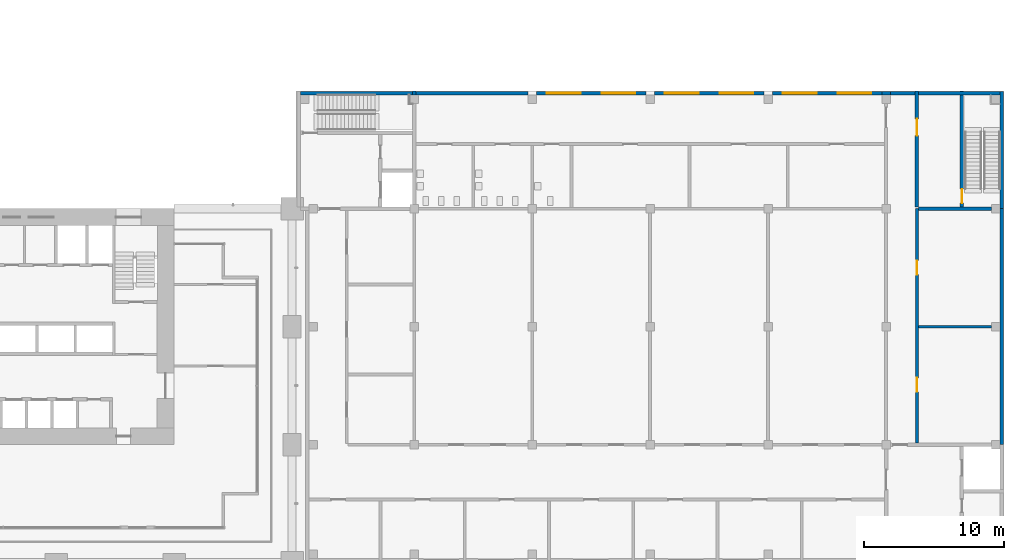
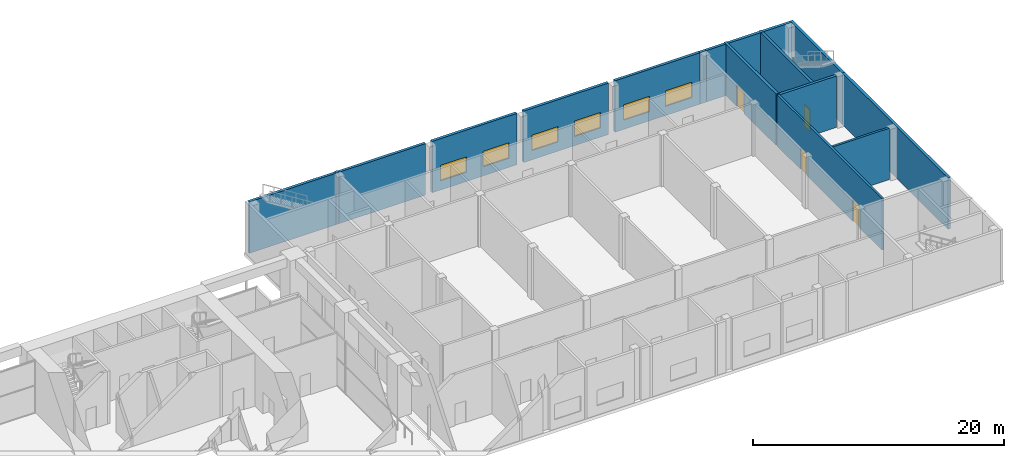
# One storey, part 21 of 32: 16 walls, 6 windows, 4 doors, 10 openings.
"""IFC4 building model written with IfcOpenShell, lengths in metres."""

from ifc_helpers import new_model, si_unit, direction, frame, frame_2d, origin, place, context, subcontext, project, spatial, rectangle, extrude, material, layer, layer_set, type_object, element, fill, save


model = new_model("IFC4")

# Units and contexts
model_context = context("Model", 3, precision=1e-05, world=origin(), true_north=direction((0.0, 1.0)))
body_context = subcontext(model_context, "Body", "Model", "MODEL_VIEW")
ifc_project = project(units=[si_unit("LENGTHUNIT", "METRE"), si_unit("AREAUNIT", "SQUARE_METRE"), si_unit("VOLUMEUNIT", "CUBIC_METRE"), si_unit("PLANEANGLEUNIT", "RADIAN"), si_unit("MASSUNIT", "GRAM", prefix="KILO")], contexts=[model_context])

# Site, building, storey
site_placement = place(None, origin())
site = spatial("IfcSite", under=ifc_project, at=site_placement, CompositionType="ELEMENT")
building_placement = place(site_placement, origin())
building = spatial("IfcBuilding", under=site, at=building_placement, Name="Vermilion Gate Residences", CompositionType="ELEMENT")
storey_placement = place(building_placement, frame((0.0, 0.0, 19.800048828125)))
storey = spatial("IfcBuildingStorey", under=building, at=storey_placement, Name="L03", CompositionType="ELEMENT", Elevation=19.800048828125)

# Wall
ifc_material_1 = material(Name="Insulated masonry", Category="masonry")
ifc_layer_1 = layer(ifc_material_1, 0.25)
ifc_layer_set_1 = layer_set([ifc_layer_1], Name="EXTERNAL WALL 250 MASONRY (MARKET HALL)")
wall_type_1 = type_object("IfcWallType", Name="EXTERNAL WALL 250 MASONRY (MARKET HALL)", PredefinedType="SOLIDWALL", material=ifc_layer_set_1)
wall_1_placement = place(storey_placement, frame((76.02490234375, 33.425048828125, 0.0), z_axis=(0.0, 0.0, 1.0), x_axis=(1.0, 0.0, 0.0)))
element("IfcWall", 1, at=wall_1_placement, inside=storey, type_object=wall_type_1, Name="External wall L03-30", PredefinedType="SOLIDWALL", context=body_context, shape_type="SweptSolid", body=[
    extrude(rectangle(XDim=7.97509765625, YDim=0.25, at=frame_2d((3.987548828125, 0.0))), origin(), (0.0, 0.0, 1.0), 5.0),
])

# Wall, openings, windows
wall_2_placement = place(storey_placement, frame((84.60009765625, 33.425048828125, 0.0), z_axis=(0.0, 0.0, 1.0), x_axis=(1.0, 0.0, 0.0)))
wall_2 = element("IfcWall", 2, at=wall_2_placement, inside=storey, type_object=wall_type_1, Name="External wall L03-31", PredefinedType="SOLIDWALL", context=body_context, shape_type="SweptSolid", body=[
    extrude(rectangle(XDim=7.7998046875, YDim=0.25, at=frame_2d((3.89990234375, 0.0))), origin(), (0.0, 0.0, 1.0), 5.0),
])
opening_1_placement = place(wall_2_placement, frame((0.75, 0.0, 0.89990234375)))
opening_1 = element("IfcOpeningElement", 3, at=opening_1_placement, cuts=wall_2, Name="Opening WH03006", PredefinedType="OPENING", context=body_context, shape_type="SweptSolid", body=[
    extrude(rectangle(XDim=2.39990234375, YDim=1.5, at=frame_2d((1.199951171875, 0.75))), frame((0.0, 0.135009765625, 0.0), z_axis=(0.0, -1.0, 0.0), x_axis=(1.0, 0.0, 0.0)), (0.0, 0.0, 1.0), 0.27001953125),
])
opening_2_placement = place(wall_2_placement, frame((4.64990234375, 0.0, 0.89990234375)))
opening_2 = element("IfcOpeningElement", 4, at=opening_2_placement, cuts=wall_2, Name="Opening WH03007", PredefinedType="OPENING", context=body_context, shape_type="SweptSolid", body=[
    extrude(rectangle(XDim=2.39990234375, YDim=1.5, at=frame_2d((1.199951171875, 0.75))), frame((0.0, 0.135009765625, 0.0), z_axis=(0.0, -1.0, 0.0), x_axis=(1.0, 0.0, 0.0)), (0.0, 0.0, 1.0), 0.27001953125),
])
ifc_material_2 = material(Name="Aluminium and glass", Category="aluminium")
window_type = type_object("IfcWindowType", Name="WINDOW 2400 X 1500 (MARKET HALL)", PartitioningType="DOUBLE_PANEL_VERTICAL", PredefinedType="WINDOW", material=ifc_material_2)
window_1_placement = place(opening_1_placement, origin())
window_1 = element("IfcWindow", 5, at=window_1_placement, inside=storey, type_object=window_type, Name="Window WH03006", OverallHeight=1.5, OverallWidth=2.39990234375, PartitioningType="DOUBLE_PANEL_VERTICAL", PredefinedType="WINDOW", context=body_context, shape_type="SweptSolid", body=[
    extrude(rectangle(XDim=2.39990234375, YDim=1.5, at=frame_2d((1.199951171875, 0.75))), frame((0.0, 0.030029296875, 0.0), z_axis=(0.0, -1.0, 0.0), x_axis=(1.0, 0.0, 0.0)), (0.0, 0.0, 1.0), 0.06005859375),
])
fill(opening_1, window_1)
window_2_placement = place(opening_2_placement, origin())
window_2 = element("IfcWindow", 6, at=window_2_placement, inside=storey, type_object=window_type, Name="Window WH03007", OverallHeight=1.5, OverallWidth=2.39990234375, PartitioningType="DOUBLE_PANEL_VERTICAL", PredefinedType="WINDOW", context=body_context, shape_type="SweptSolid", body=[
    extrude(rectangle(XDim=2.39990234375, YDim=1.5, at=frame_2d((1.199951171875, 0.75))), frame((0.0, 0.030029296875, 0.0), z_axis=(0.0, -1.0, 0.0), x_axis=(1.0, 0.0, 0.0)), (0.0, 0.0, 1.0), 0.06005859375),
])
fill(opening_2, window_2)

wall_3_placement = place(storey_placement, frame((93.0, 33.425048828125, 0.0), z_axis=(0.0, 0.0, 1.0), x_axis=(1.0, 0.0, 0.0)))
wall_3 = element("IfcWall", 7, at=wall_3_placement, inside=storey, type_object=wall_type_1, Name="External wall L03-32", PredefinedType="SOLIDWALL", context=body_context, shape_type="SweptSolid", body=[
    extrude(rectangle(XDim=7.800048828125, YDim=0.25, at=frame_2d((3.89990234375, 0.0))), origin(), (0.0, 0.0, 1.0), 5.0),
])
opening_3_placement = place(wall_3_placement, frame((0.75, 0.0, 0.89990234375)))
opening_3 = element("IfcOpeningElement", 8, at=opening_3_placement, cuts=wall_3, Name="Opening WH03008", PredefinedType="OPENING", context=body_context, shape_type="SweptSolid", body=[
    extrude(rectangle(XDim=2.39990234375, YDim=1.5, at=frame_2d((1.199951171875, 0.75))), frame((0.0, 0.135009765625, 0.0), z_axis=(0.0, -1.0, 0.0), x_axis=(1.0, 0.0, 0.0)), (0.0, 0.0, 1.0), 0.27001953125),
])
opening_4_placement = place(wall_3_placement, frame((4.64990234375, 0.0, 0.89990234375)))
opening_4 = element("IfcOpeningElement", 9, at=opening_4_placement, cuts=wall_3, Name="Opening WH03009", PredefinedType="OPENING", context=body_context, shape_type="SweptSolid", body=[
    extrude(rectangle(XDim=2.39990234375, YDim=1.5, at=frame_2d((1.199951171875, 0.75))), frame((0.0, 0.135009765625, 0.0), z_axis=(0.0, -1.0, 0.0), x_axis=(1.0, 0.0, 0.0)), (0.0, 0.0, 1.0), 0.27001953125),
])
window_3_placement = place(opening_3_placement, origin())
window_3 = element("IfcWindow", 10, at=window_3_placement, inside=storey, type_object=window_type, Name="Window WH03008", OverallHeight=1.5, OverallWidth=2.39990234375, PartitioningType="DOUBLE_PANEL_VERTICAL", PredefinedType="WINDOW", context=body_context, shape_type="SweptSolid", body=[
    extrude(rectangle(XDim=2.39990234375, YDim=1.5, at=frame_2d((1.199951171875, 0.75))), frame((0.0, 0.030029296875, 0.0), z_axis=(0.0, -1.0, 0.0), x_axis=(1.0, 0.0, 0.0)), (0.0, 0.0, 1.0), 0.06005859375),
])
fill(opening_3, window_3)
window_4_placement = place(opening_4_placement, origin())
window_4 = element("IfcWindow", 11, at=window_4_placement, inside=storey, type_object=window_type, Name="Window WH03009", OverallHeight=1.5, OverallWidth=2.39990234375, PartitioningType="DOUBLE_PANEL_VERTICAL", PredefinedType="WINDOW", context=body_context, shape_type="SweptSolid", body=[
    extrude(rectangle(XDim=2.39990234375, YDim=1.5, at=frame_2d((1.199951171875, 0.75))), frame((0.0, 0.030029296875, 0.0), z_axis=(0.0, -1.0, 0.0), x_axis=(1.0, 0.0, 0.0)), (0.0, 0.0, 1.0), 0.06005859375),
])
fill(opening_4, window_4)

wall_4_placement = place(storey_placement, frame((101.39990234375, 33.425048828125, 0.0), z_axis=(0.0, 0.0, 1.0), x_axis=(1.0, 0.0, 0.0)))
wall_4 = element("IfcWall", 12, at=wall_4_placement, inside=storey, type_object=wall_type_1, Name="External wall L03-33", PredefinedType="SOLIDWALL", context=body_context, shape_type="SweptSolid", body=[
    extrude(rectangle(XDim=7.800048828125, YDim=0.25, at=frame_2d((3.89990234375, 0.0))), origin(), (0.0, 0.0, 1.0), 5.0),
])
opening_5_placement = place(wall_4_placement, frame((0.75, 0.0, 0.89990234375)))
opening_5 = element("IfcOpeningElement", 13, at=opening_5_placement, cuts=wall_4, Name="Opening WH03010", PredefinedType="OPENING", context=body_context, shape_type="SweptSolid", body=[
    extrude(rectangle(XDim=2.39990234375, YDim=1.5, at=frame_2d((1.199951171875, 0.75))), frame((0.0, 0.135009765625, 0.0), z_axis=(0.0, -1.0, 0.0), x_axis=(1.0, 0.0, 0.0)), (0.0, 0.0, 1.0), 0.27001953125),
])
opening_6_placement = place(wall_4_placement, frame((4.64990234375, 0.0, 0.89990234375)))
opening_6 = element("IfcOpeningElement", 14, at=opening_6_placement, cuts=wall_4, Name="Opening WH03011", PredefinedType="OPENING", context=body_context, shape_type="SweptSolid", body=[
    extrude(rectangle(XDim=2.39990234375, YDim=1.5, at=frame_2d((1.199951171875, 0.75))), frame((0.0, 0.135009765625, 0.0), z_axis=(0.0, -1.0, 0.0), x_axis=(1.0, 0.0, 0.0)), (0.0, 0.0, 1.0), 0.27001953125),
])
window_5_placement = place(opening_5_placement, origin())
window_5 = element("IfcWindow", 15, at=window_5_placement, inside=storey, type_object=window_type, Name="Window WH03010", OverallHeight=1.5, OverallWidth=2.39990234375, PartitioningType="DOUBLE_PANEL_VERTICAL", PredefinedType="WINDOW", context=body_context, shape_type="SweptSolid", body=[
    extrude(rectangle(XDim=2.39990234375, YDim=1.5, at=frame_2d((1.199951171875, 0.75))), frame((0.0, 0.030029296875, 0.0), z_axis=(0.0, -1.0, 0.0), x_axis=(1.0, 0.0, 0.0)), (0.0, 0.0, 1.0), 0.06005859375),
])
fill(opening_5, window_5)
window_6_placement = place(opening_6_placement, origin())
window_6 = element("IfcWindow", 16, at=window_6_placement, inside=storey, type_object=window_type, Name="Window WH03011", OverallHeight=1.5, OverallWidth=2.39990234375, PartitioningType="DOUBLE_PANEL_VERTICAL", PredefinedType="WINDOW", context=body_context, shape_type="SweptSolid", body=[
    extrude(rectangle(XDim=2.39990234375, YDim=1.5, at=frame_2d((1.199951171875, 0.75))), frame((0.0, 0.030029296875, 0.0), z_axis=(0.0, -1.0, 0.0), x_axis=(1.0, 0.0, 0.0)), (0.0, 0.0, 1.0), 0.06005859375),
])
fill(opening_6, window_6)

# Walls
wall_5_placement = place(storey_placement, frame((109.199951171875, 33.425048828125, 0.0), z_axis=(0.0, 0.0, 1.0), x_axis=(1.0, 0.0, 0.0)))
element("IfcWall", 17, at=wall_5_placement, inside=storey, type_object=wall_type_1, Name="External wall L03-F1", PredefinedType="SOLIDWALL", context=body_context, shape_type="SweptSolid", body=[
    extrude(rectangle(XDim=0.60009765625, YDim=0.25, at=frame_2d((0.300048828125, 0.0))), origin(), (0.0, 0.0, 1.0), 5.0),
])
wall_6_placement = place(storey_placement, frame((109.800048828125, 33.425048828125, 0.0), z_axis=(0.0, 0.0, 1.0), x_axis=(1.0, 0.0, 0.0)))
element("IfcWall", 18, at=wall_6_placement, inside=storey, type_object=wall_type_1, Name="External wall L03-34", PredefinedType="SOLIDWALL", context=body_context, shape_type="SweptSolid", body=[
    extrude(rectangle(XDim=1.77490234375, YDim=0.25, at=frame_2d((0.887451171875, 0.0))), origin(), (0.0, 0.0, 1.0), 5.0),
])
wall_7_placement = place(storey_placement, frame((117.72509765625, 8.39990234375, 0.0), z_axis=(0.0, 0.0, 1.0), x_axis=(0.0, 1.0, 0.0)))
element("IfcWall", 19, at=wall_7_placement, inside=storey, type_object=wall_type_1, Name="External wall L03-71", PredefinedType="SOLIDWALL", context=body_context, shape_type="SweptSolid", body=[
    extrude(rectangle(XDim=16.800048828125, YDim=0.25, at=frame_2d((8.39990234375, 0.0))), origin(), (0.0, 0.0, 1.0), 5.0),
])
ifc_material_3 = material(Name="Masonry", Category="masonry")
ifc_layer_2 = layer(ifc_material_3, 0.199951171875)
ifc_layer_set_2 = layer_set([ifc_layer_2], Name="PARTITION 200 MASONRY EI 60 (MARKET HALL)")
wall_type_2 = type_object("IfcWallType", Name="PARTITION 200 MASONRY EI 60 (MARKET HALL)", PredefinedType="PARTITIONING", material=ifc_layer_set_2)
wall_8_placement = place(storey_placement, frame((111.800048828125, 16.800048828125, 0.0), z_axis=(0.0, 0.0, 1.0), x_axis=(1.0, 0.0, 0.0)))
element("IfcWall", 20, at=wall_8_placement, inside=storey, type_object=wall_type_2, Name="Partition wall L03-17", PredefinedType="PARTITIONING", context=body_context, shape_type="SweptSolid", body=[
    extrude(rectangle(XDim=5.199951171875, YDim=0.199951171875, at=frame_2d((2.60009765625, 0.0))), origin(), (0.0, 0.0, 1.0), 5.0),
])

# Wall, openings, doors
wall_9_placement = place(storey_placement, frame((111.699951171875, 8.52490234375, 0.0), z_axis=(0.0, 0.0, 1.0), x_axis=(0.0, 1.0, 0.0)))
wall_9 = element("IfcWall", 21, at=wall_9_placement, inside=storey, type_object=wall_type_2, Name="Partition wall L03-66", PredefinedType="PARTITIONING", context=body_context, shape_type="SweptSolid", body=[
    extrude(rectangle(XDim=16.675048828125, YDim=0.199951171875, at=frame_2d((8.33740234375, 0.0))), origin(), (0.0, 0.0, 1.0), 5.0),
])
opening_7_placement = place(wall_9_placement, frame((3.637451171875, 0.0, 0.0)))
opening_7 = element("IfcOpeningElement", 22, at=opening_7_placement, cuts=wall_9, Name="Opening DH03024", PredefinedType="OPENING", context=body_context, shape_type="SweptSolid", body=[
    extrude(rectangle(XDim=1.0, YDim=2.10009765625, at=frame_2d((0.5, 1.050048828125))), frame((0.0, 0.10986328125, 0.0), z_axis=(0.0, -1.0, 0.0), x_axis=(1.0, 0.0, 0.0)), (0.0, 0.0, 1.0), 0.219970703125),
])
opening_8_placement = place(wall_9_placement, frame((11.97509765625, 0.0, 0.0)))
opening_8 = element("IfcOpeningElement", 23, at=opening_8_placement, cuts=wall_9, Name="Opening DH03025", PredefinedType="OPENING", context=body_context, shape_type="SweptSolid", body=[
    extrude(rectangle(XDim=1.0, YDim=2.10009765625, at=frame_2d((0.5, 1.050048828125))), frame((0.0, 0.10986328125, 0.0), z_axis=(0.0, -1.0, 0.0), x_axis=(1.0, 0.0, 0.0)), (0.0, 0.0, 1.0), 0.219970703125),
])
ifc_material_4 = material(Name="Steel", Category="steel")
door_type_1 = type_object("IfcDoorType", Name="FIRE DOOR FD30 1000 X 2100 (MARKET HALL)", OperationType="SINGLE_SWING_LEFT", PredefinedType="DOOR", material=ifc_material_4)
door_1_placement = place(opening_7_placement, frame((1.0, 0.0, 0.0), z_axis=(0.0, 0.0, 1.0), x_axis=(-1.0, 0.0, 0.0)))
door_1 = element("IfcDoor", 24, at=door_1_placement, inside=storey, type_object=door_type_1, Name="Fire door DH03024", OperationType="SINGLE_SWING_RIGHT", OverallHeight=2.10009765625, OverallWidth=1.0, PredefinedType="DOOR", context=body_context, shape_type="SweptSolid", body=[
    extrude(rectangle(XDim=1.0, YDim=2.10009765625, at=frame_2d((0.5, 1.050048828125))), frame((0.0, 0.02490234375, 0.0), z_axis=(0.0, -1.0, 0.0), x_axis=(1.0, 0.0, 0.0)), (0.0, 0.0, 1.0), 0.050048828125),
])
fill(opening_7, door_1)
door_2_placement = place(opening_8_placement, frame((1.0, 0.0, 0.0), z_axis=(0.0, 0.0, 1.0), x_axis=(-1.0, 0.0, 0.0)))
door_2 = element("IfcDoor", 25, at=door_2_placement, inside=storey, type_object=door_type_1, Name="Fire door DH03025", OperationType="SINGLE_SWING_RIGHT", OverallHeight=2.10009765625, OverallWidth=1.0, PredefinedType="DOOR", context=body_context, shape_type="SweptSolid", body=[
    extrude(rectangle(XDim=1.0, YDim=2.10009765625, at=frame_2d((0.5, 1.050048828125))), frame((0.0, 0.02490234375, 0.0), z_axis=(0.0, -1.0, 0.0), x_axis=(1.0, 0.0, 0.0)), (0.0, 0.0, 1.0), 0.050048828125),
])
fill(opening_8, door_2)

# Walls
ifc_material_5 = material(Name="Concrete C45", Category="concrete")
ifc_layer_3 = layer(ifc_material_5, 0.25)
ifc_layer_set_3 = layer_set([ifc_layer_3], Name="RC CORE WALL 250 C45 (MARKET HALL)")
wall_type_3 = type_object("IfcWallType", Name="RC CORE WALL 250 C45 (MARKET HALL)", PredefinedType="SHEAR", material=ifc_layer_set_3)
wall_10_placement = place(storey_placement, frame((111.824951171875, 25.199951171875, 0.0), z_axis=(0.0, 0.0, 1.0), x_axis=(1.0, 0.0, 0.0)))
element("IfcWall", 26, at=wall_10_placement, inside=storey, type_object=wall_type_3, Name="Core wall L03-25", PredefinedType="SHEAR", context=body_context, shape_type="SweptSolid", body=[
    extrude(rectangle(XDim=5.175048828125, YDim=0.25, at=frame_2d((2.58740234375, 0.0))), origin(), (0.0, 0.0, 1.0), 5.0),
])
wall_11_placement = place(storey_placement, frame((67.800048828125, 33.425048828125, 0.0), z_axis=(0.0, 0.0, 1.0), x_axis=(1.0, 0.0, 0.0)))
element("IfcWall", 27, at=wall_11_placement, inside=storey, type_object=wall_type_3, Name="Core wall L03-29", PredefinedType="SHEAR", context=body_context, shape_type="SweptSolid", body=[
    extrude(rectangle(XDim=7.974853515625, YDim=0.25, at=frame_2d((3.9873046875, 0.0))), origin(), (0.0, 0.0, 1.0), 5.0),
])
wall_12_placement = place(storey_placement, frame((111.824951171875, 33.425048828125, 0.0), z_axis=(0.0, 0.0, 1.0), x_axis=(1.0, 0.0, 0.0)))
element("IfcWall", 28, at=wall_12_placement, inside=storey, type_object=wall_type_3, Name="Core wall L03-35", PredefinedType="SHEAR", context=body_context, shape_type="SweptSolid", body=[
    extrude(rectangle(XDim=5.775146484375, YDim=0.25, at=frame_2d((2.8876953125, 0.0))), origin(), (0.0, 0.0, 1.0), 5.0),
])
wall_13_placement = place(storey_placement, frame((75.89990234375, 33.300048828125, 0.0), z_axis=(0.0, 0.0, 1.0), x_axis=(0.0, 1.0, 0.0)))
element("IfcWall", 29, at=wall_13_placement, inside=storey, type_object=wall_type_3, Name="Core wall L03-44", PredefinedType="SHEAR", context=body_context, shape_type="SweptSolid", body=[
    extrude(rectangle(XDim=0.300048828125, YDim=0.25, at=frame_2d((0.14990234375, 0.0))), origin(), (0.0, 0.0, 1.0), 5.0),
])

# Wall, opening, door
wall_14_placement = place(storey_placement, frame((111.699951171875, 25.324951171875, 0.0), z_axis=(0.0, 0.0, 1.0), x_axis=(0.0, 1.0, 0.0)))
wall_14 = element("IfcWall", 30, at=wall_14_placement, inside=storey, type_object=wall_type_3, Name="Core wall L03-67", PredefinedType="SHEAR", context=body_context, shape_type="SweptSolid", body=[
    extrude(rectangle(XDim=8.275146484375, YDim=0.25, at=frame_2d((4.1376953125, 0.0))), origin(), (0.0, 0.0, 1.0), 5.0),
])
opening_9_placement = place(wall_14_placement, frame((5.074951171875, 0.0, 0.0)))
opening_9 = element("IfcOpeningElement", 31, at=opening_9_placement, cuts=wall_14, Name="Opening DH03026", PredefinedType="OPENING", context=body_context, shape_type="SweptSolid", body=[
    extrude(rectangle(XDim=1.199951171875, YDim=2.10009765625, at=frame_2d((0.60009765625, 1.050048828125))), frame((0.0, 0.135009765625, 0.0), z_axis=(0.0, -1.0, 0.0), x_axis=(1.0, 0.0, 0.0)), (0.0, 0.0, 1.0), 0.27001953125),
])
ifc_material_6 = material(Name="Steel", Category="steel")
door_type_2 = type_object("IfcDoorType", Name="FIRE DOOR FD60 1200 X 2100 (MARKET HALL)", OperationType="SINGLE_SWING_LEFT", PredefinedType="DOOR", material=ifc_material_6)
door_3_placement = place(opening_9_placement, frame((1.199951171875, 0.0, 0.0), z_axis=(0.0, 0.0, 1.0), x_axis=(-1.0, 0.0, 0.0)))
door_3 = element("IfcDoor", 32, at=door_3_placement, inside=storey, type_object=door_type_2, Name="Lobby fire door DH03026", OperationType="SINGLE_SWING_LEFT", OverallHeight=2.10009765625, OverallWidth=1.199951171875, PredefinedType="DOOR", context=body_context, shape_type="SweptSolid", body=[
    extrude(rectangle(XDim=1.199951171875, YDim=2.10009765625, at=frame_2d((0.60009765625, 1.050048828125))), frame((0.0, 0.02490234375, 0.0), z_axis=(0.0, -1.0, 0.0), x_axis=(1.0, 0.0, 0.0)), (0.0, 0.0, 1.0), 0.050048828125),
])
fill(opening_9, door_3)

wall_15_placement = place(storey_placement, frame((114.89990234375, 25.324951171875, 0.0), z_axis=(0.0, 0.0, 1.0), x_axis=(0.0, 1.0, 0.0)))
wall_15 = element("IfcWall", 33, at=wall_15_placement, inside=storey, type_object=wall_type_3, Name="Core wall L03-69", PredefinedType="SHEAR", context=body_context, shape_type="SweptSolid", body=[
    extrude(rectangle(XDim=8.275146484375, YDim=0.25, at=frame_2d((4.1376953125, 0.0))), origin(), (0.0, 0.0, 1.0), 5.0),
])
opening_10_placement = place(wall_15_placement, frame((0.27490234375, 0.0, 0.0)))
opening_10 = element("IfcOpeningElement", 34, at=opening_10_placement, cuts=wall_15, Name="Opening DH03001", PredefinedType="OPENING", context=body_context, shape_type="SweptSolid", body=[
    extrude(rectangle(XDim=1.0, YDim=2.10009765625, at=frame_2d((0.5, 1.050048828125))), frame((0.0, 0.135009765625, 0.0), z_axis=(0.0, -1.0, 0.0), x_axis=(1.0, 0.0, 0.0)), (0.0, 0.0, 1.0), 0.27001953125),
])
ifc_material_7 = material(Name="Steel", Category="steel")
door_type_3 = type_object("IfcDoorType", Name="STAIR DOOR FD60 1000 X 2100 (MARKET HALL)", OperationType="SINGLE_SWING_LEFT", PredefinedType="DOOR", material=ifc_material_7)
door_4_placement = place(opening_10_placement, frame((1.0, 0.0, 0.0), z_axis=(0.0, 0.0, 1.0), x_axis=(-1.0, 0.0, 0.0)))
door_4 = element("IfcDoor", 35, at=door_4_placement, inside=storey, type_object=door_type_3, Name="Stair door DH03001", OperationType="SINGLE_SWING_LEFT", OverallHeight=2.10009765625, OverallWidth=1.0, PredefinedType="DOOR", context=body_context, shape_type="SweptSolid", body=[
    extrude(rectangle(XDim=1.0, YDim=2.10009765625, at=frame_2d((0.5, 1.050048828125))), frame((0.0, 0.02490234375, 0.0), z_axis=(0.0, -1.0, 0.0), x_axis=(1.0, 0.0, 0.0)), (0.0, 0.0, 1.0), 0.050048828125),
])
fill(opening_10, door_4)

# Wall
wall_16_placement = place(storey_placement, frame((117.72509765625, 25.199951171875, 0.0), z_axis=(0.0, 0.0, 1.0), x_axis=(0.0, 1.0, 0.0)))
element("IfcWall", 36, at=wall_16_placement, inside=storey, type_object=wall_type_3, Name="Core wall L03-72", PredefinedType="SHEAR", context=body_context, shape_type="SweptSolid", body=[
    extrude(rectangle(XDim=8.35009765625, YDim=0.25, at=frame_2d((4.175048828125, 0.0))), origin(), (0.0, 0.0, 1.0), 5.0),
])

save(model, "model.ifc")
